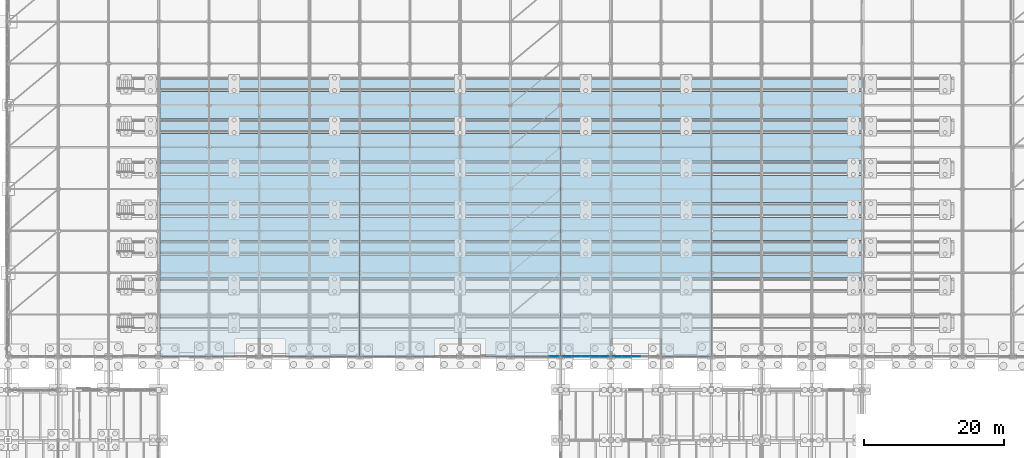
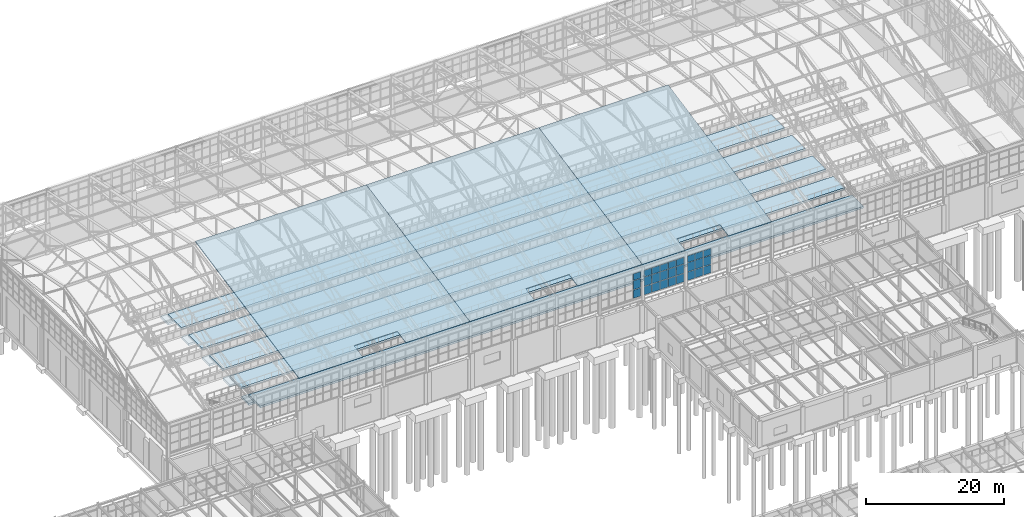
# One storey, part 242 of 293: 27 plates, 13 slabs, 3 elements without a shape of their own.
"""IFC4 building model written with IfcOpenShell, lengths in metres."""

from ifc_helpers import new_model, si_unit, direction, frame, origin, origin_2d, place, context, subcontext, project, spatial, polyline, rectangle, outline, extrude, material, layer, layer_set, type_object, element, aggregate, save


model = new_model("IFC4")

# Units and contexts
model_context = context("Model", 3, precision=1e-05, world=origin(), true_north=direction((0.0, 1.0)))
body_context = subcontext(model_context, "Body", "Model", "MODEL_VIEW")
ifc_project = project(units=[si_unit("LENGTHUNIT", "METRE"), si_unit("AREAUNIT", "SQUARE_METRE"), si_unit("VOLUMEUNIT", "CUBIC_METRE"), si_unit("PLANEANGLEUNIT", "RADIAN"), si_unit("MASSUNIT", "GRAM", prefix="KILO")], contexts=[model_context])

# Site, building, storey
site_placement = place(None, origin())
site = spatial("IfcSite", under=ifc_project, at=site_placement, CompositionType="ELEMENT")
building_placement = place(site_placement, origin())
building = spatial("IfcBuilding", under=site, at=building_placement, Name="Kemerveld Promenade Tramway Depot", CompositionType="ELEMENT")
storey_placement = place(building_placement, origin())
storey = spatial("IfcBuildingStorey", under=building, at=storey_placement, Name="L00", CompositionType="ELEMENT", Elevation=0.0)

# Curtain wall, plates
ifc_material_1 = material(Name="Bronze anodised aluminium and solar glass", Category="aluminium")
ifc_layer_1 = layer(ifc_material_1, 0.199951171875)
ifc_layer_set_1 = layer_set([ifc_layer_1], Name="CW-SYS-14")
curtain_wall_type_1 = type_object("IfcCurtainWallType", Name="CW-SYS-14", PredefinedType="USERDEFINED", material=ifc_layer_set_1)
curtain_wall_1_placement = place(storey_placement, origin())
curtain_wall_1 = element("IfcCurtainWall", 1, at=curtain_wall_1_placement, inside=storey, type_object=curtain_wall_type_1, Name="CW-V1-S-11", ObjectType="GLAZED_CURTAIN_WALL", PredefinedType="USERDEFINED")
ifc_material_2 = material(Name="Solar-control laminated double glazing", Category="glass")
ifc_layer_2 = layer(ifc_material_2, 0.02587890625)
ifc_layer_set_2 = layer_set([ifc_layer_2], Name="CW-PNL-06")
plate_type_1 = type_object("IfcPlateType", Name="CW-PNL-06", PredefinedType="CURTAIN_PANEL", material=ifc_layer_set_2)
plate_1_placement = place(storey_placement, frame((114.28271484375, 84.0, 6.26513671875), z_axis=(0.0, 0.0, 1.0), x_axis=(-1.0, 0.0, 0.0)))
plate_1 = element("IfcPlate", 2, at=plate_1_placement, type_object=plate_type_1, Name="CW14 panel 1.1", PredefinedType="CURTAIN_PANEL", context=body_context, shape_type="SweptSolid", body=[
    extrude(rectangle(XDim=1.23828125, YDim=0.02587890625, at=origin_2d()), origin(), (0.0, 0.0, 1.0), 1.46044921875),
])
plate_2_placement = place(storey_placement, frame((114.28271484375, 84.0, 7.79052734375), z_axis=(0.0, 0.0, 1.0), x_axis=(-1.0, 0.0, 0.0)))
plate_2 = element("IfcPlate", 3, at=plate_2_placement, type_object=plate_type_1, Name="CW14 panel 1.2", PredefinedType="CURTAIN_PANEL", context=body_context, shape_type="SweptSolid", body=[
    extrude(rectangle(XDim=1.23828125, YDim=0.02587890625, at=origin_2d()), origin(), (0.0, 0.0, 1.0), 1.5810546875),
])
plate_3_placement = place(storey_placement, frame((114.28271484375, 84.0, 9.4365234375), z_axis=(0.0, 0.0, 1.0), x_axis=(-1.0, 0.0, 0.0)))
plate_3 = element("IfcPlate", 4, at=plate_3_placement, type_object=plate_type_1, Name="CW14 panel 1.3", PredefinedType="CURTAIN_PANEL", context=body_context, shape_type="SweptSolid", body=[
    extrude(rectangle(XDim=1.23828125, YDim=0.02587890625, at=origin_2d()), origin(), (0.0, 0.0, 1.0), 1.1484375),
])
aggregate(curtain_wall_1, [plate_1, plate_2, plate_3])

ifc_layer_3 = layer(ifc_material_1, 0.159912109375)
ifc_layer_set_3 = layer_set([ifc_layer_3], Name="CW-SYS-01")
curtain_wall_type_2 = type_object("IfcCurtainWallType", Name="CW-SYS-01", PredefinedType="USERDEFINED", material=ifc_layer_set_3)
curtain_wall_2_placement = place(storey_placement, origin())
curtain_wall_2 = element("IfcCurtainWall", 5, at=curtain_wall_2_placement, inside=storey, type_object=curtain_wall_type_2, Name="CW-V1-S-12", ObjectType="GLAZED_CURTAIN_WALL", PredefinedType="USERDEFINED")
ifc_layer_4 = layer(ifc_material_2, 0.030029296875)
ifc_layer_set_4 = layer_set([ifc_layer_4], Name="CW-PNL-07")
plate_type_2 = type_object("IfcPlateType", Name="CW-PNL-07", PredefinedType="CURTAIN_PANEL", material=ifc_layer_set_4)
plate_4_placement = place(storey_placement, frame((121.485107421875, 84.0, 6.259765625), z_axis=(0.0, 0.0, 1.0), x_axis=(-1.0, 0.0, 0.0)))
plate_4 = element("IfcPlate", 6, at=plate_4_placement, type_object=plate_type_2, Name="CW01 panel 1.1", PredefinedType="CURTAIN_PANEL", context=body_context, shape_type="SweptSolid", body=[
    extrude(rectangle(XDim=1.253173828125, YDim=0.030029296875, at=origin_2d()), origin(), (0.0, 0.0, 1.0), 1.468017578125),
])
plate_5_placement = place(storey_placement, frame((121.485107421875, 84.0, 7.7880859375), z_axis=(0.0, 0.0, 1.0), x_axis=(-1.0, 0.0, 0.0)))
plate_5 = element("IfcPlate", 7, at=plate_5_placement, type_object=plate_type_2, Name="CW01 panel 1.2", PredefinedType="CURTAIN_PANEL", context=body_context, shape_type="SweptSolid", body=[
    extrude(rectangle(XDim=1.253173828125, YDim=0.030029296875, at=origin_2d()), origin(), (0.0, 0.0, 1.0), 1.5859375),
])
plate_6_placement = place(storey_placement, frame((121.485107421875, 84.0, 9.43408203125), z_axis=(0.0, 0.0, 1.0), x_axis=(-1.0, 0.0, 0.0)))
plate_6 = element("IfcPlate", 8, at=plate_6_placement, type_object=plate_type_2, Name="CW01 panel 1.3", PredefinedType="CURTAIN_PANEL", context=body_context, shape_type="SweptSolid", body=[
    extrude(rectangle(XDim=1.253173828125, YDim=0.030029296875, at=origin_2d()), origin(), (0.0, 0.0, 1.0), 1.156005859375),
])
plate_7_placement = place(storey_placement, frame((120.150634765625, 84.0, 6.259765625), z_axis=(0.0, 0.0, 1.0), x_axis=(-1.0, 0.0, 0.0)))
plate_7 = element("IfcPlate", 9, at=plate_7_placement, type_object=plate_type_2, Name="CW01 panel 2.1", PredefinedType="CURTAIN_PANEL", context=body_context, shape_type="SweptSolid", body=[
    extrude(rectangle(XDim=1.28564453125, YDim=0.030029296875, at=origin_2d()), origin(), (0.0, 0.0, 1.0), 1.468017578125),
])
plate_8_placement = place(storey_placement, frame((120.150634765625, 84.0, 7.7880859375), z_axis=(0.0, 0.0, 1.0), x_axis=(-1.0, 0.0, 0.0)))
plate_8 = element("IfcPlate", 10, at=plate_8_placement, type_object=plate_type_2, Name="CW01 panel 2.2", PredefinedType="CURTAIN_PANEL", context=body_context, shape_type="SweptSolid", body=[
    extrude(rectangle(XDim=1.28564453125, YDim=0.030029296875, at=origin_2d()), origin(), (0.0, 0.0, 1.0), 1.5859375),
])
plate_9_placement = place(storey_placement, frame((120.150634765625, 84.0, 9.43408203125), z_axis=(0.0, 0.0, 1.0), x_axis=(-1.0, 0.0, 0.0)))
plate_9 = element("IfcPlate", 11, at=plate_9_placement, type_object=plate_type_2, Name="CW01 panel 2.3", PredefinedType="CURTAIN_PANEL", context=body_context, shape_type="SweptSolid", body=[
    extrude(rectangle(XDim=1.28564453125, YDim=0.030029296875, at=origin_2d()), origin(), (0.0, 0.0, 1.0), 1.156005859375),
])
plate_10_placement = place(storey_placement, frame((118.800048828125, 84.0, 6.259765625), z_axis=(0.0, 0.0, 1.0), x_axis=(-1.0, 0.0, 0.0)))
plate_10 = element("IfcPlate", 12, at=plate_10_placement, type_object=plate_type_2, Name="CW01 panel 3.1", PredefinedType="CURTAIN_PANEL", context=body_context, shape_type="SweptSolid", body=[
    extrude(rectangle(XDim=1.28564453125, YDim=0.030029296875, at=origin_2d()), origin(), (0.0, 0.0, 1.0), 1.468017578125),
])
plate_11_placement = place(storey_placement, frame((118.800048828125, 84.0, 7.7880859375), z_axis=(0.0, 0.0, 1.0), x_axis=(-1.0, 0.0, 0.0)))
plate_11 = element("IfcPlate", 13, at=plate_11_placement, type_object=plate_type_2, Name="CW01 panel 3.2", PredefinedType="CURTAIN_PANEL", context=body_context, shape_type="SweptSolid", body=[
    extrude(rectangle(XDim=1.28564453125, YDim=0.030029296875, at=origin_2d()), origin(), (0.0, 0.0, 1.0), 1.5859375),
])
plate_12_placement = place(storey_placement, frame((118.800048828125, 84.0, 9.43408203125), z_axis=(0.0, 0.0, 1.0), x_axis=(-1.0, 0.0, 0.0)))
plate_12 = element("IfcPlate", 14, at=plate_12_placement, type_object=plate_type_2, Name="CW01 panel 3.3", PredefinedType="CURTAIN_PANEL", context=body_context, shape_type="SweptSolid", body=[
    extrude(rectangle(XDim=1.28564453125, YDim=0.030029296875, at=origin_2d()), origin(), (0.0, 0.0, 1.0), 1.156005859375),
])
plate_13_placement = place(storey_placement, frame((117.44921875, 84.0, 6.259765625), z_axis=(0.0, 0.0, 1.0), x_axis=(-1.0, 0.0, 0.0)))
plate_13 = element("IfcPlate", 15, at=plate_13_placement, type_object=plate_type_2, Name="CW01 panel 4.1", PredefinedType="CURTAIN_PANEL", context=body_context, shape_type="SweptSolid", body=[
    extrude(rectangle(XDim=1.28564453125, YDim=0.030029296875, at=origin_2d()), origin(), (0.0, 0.0, 1.0), 1.468017578125),
])
plate_14_placement = place(storey_placement, frame((117.44921875, 84.0, 7.7880859375), z_axis=(0.0, 0.0, 1.0), x_axis=(-1.0, 0.0, 0.0)))
plate_14 = element("IfcPlate", 16, at=plate_14_placement, type_object=plate_type_2, Name="CW01 panel 4.2", PredefinedType="CURTAIN_PANEL", context=body_context, shape_type="SweptSolid", body=[
    extrude(rectangle(XDim=1.28564453125, YDim=0.030029296875, at=origin_2d()), origin(), (0.0, 0.0, 1.0), 1.5859375),
])
plate_15_placement = place(storey_placement, frame((117.44921875, 84.0, 9.43408203125), z_axis=(0.0, 0.0, 1.0), x_axis=(-1.0, 0.0, 0.0)))
plate_15 = element("IfcPlate", 17, at=plate_15_placement, type_object=plate_type_2, Name="CW01 panel 4.3", PredefinedType="CURTAIN_PANEL", context=body_context, shape_type="SweptSolid", body=[
    extrude(rectangle(XDim=1.28564453125, YDim=0.030029296875, at=origin_2d()), origin(), (0.0, 0.0, 1.0), 1.156005859375),
])
plate_16_placement = place(storey_placement, frame((116.11474609375, 84.0, 6.259765625), z_axis=(0.0, 0.0, 1.0), x_axis=(-1.0, 0.0, 0.0)))
plate_16 = element("IfcPlate", 18, at=plate_16_placement, type_object=plate_type_2, Name="CW01 panel 5.1", PredefinedType="CURTAIN_PANEL", context=body_context, shape_type="SweptSolid", body=[
    extrude(rectangle(XDim=1.253173828125, YDim=0.030029296875, at=origin_2d()), origin(), (0.0, 0.0, 1.0), 1.468017578125),
])
plate_17_placement = place(storey_placement, frame((116.11474609375, 84.0, 7.7880859375), z_axis=(0.0, 0.0, 1.0), x_axis=(-1.0, 0.0, 0.0)))
plate_17 = element("IfcPlate", 19, at=plate_17_placement, type_object=plate_type_2, Name="CW01 panel 5.2", PredefinedType="CURTAIN_PANEL", context=body_context, shape_type="SweptSolid", body=[
    extrude(rectangle(XDim=1.253173828125, YDim=0.030029296875, at=origin_2d()), origin(), (0.0, 0.0, 1.0), 1.5859375),
])
plate_18_placement = place(storey_placement, frame((116.11474609375, 84.0, 9.43408203125), z_axis=(0.0, 0.0, 1.0), x_axis=(-1.0, 0.0, 0.0)))
plate_18 = element("IfcPlate", 20, at=plate_18_placement, type_object=plate_type_2, Name="CW01 panel 5.3", PredefinedType="CURTAIN_PANEL", context=body_context, shape_type="SweptSolid", body=[
    extrude(rectangle(XDim=1.253173828125, YDim=0.030029296875, at=origin_2d()), origin(), (0.0, 0.0, 1.0), 1.156005859375),
])
aggregate(curtain_wall_2, [plate_4, plate_5, plate_6, plate_7, plate_8, plate_9, plate_10, plate_11, plate_12, plate_13, plate_14, plate_15, plate_16, plate_17, plate_18])

ifc_layer_5 = layer(ifc_material_1, 0.199951171875)
ifc_layer_set_5 = layer_set([ifc_layer_5], Name="CW-SYS-02")
curtain_wall_type_3 = type_object("IfcCurtainWallType", Name="CW-SYS-02", PredefinedType="USERDEFINED", material=ifc_layer_set_5)
curtain_wall_3_placement = place(storey_placement, origin())
curtain_wall_3 = element("IfcCurtainWall", 21, at=curtain_wall_3_placement, inside=storey, type_object=curtain_wall_type_3, Name="CW-V1-S-13", ObjectType="GLAZED_CURTAIN_WALL", PredefinedType="USERDEFINED")
ifc_layer_6 = layer(ifc_material_2, 0.028076171875)
ifc_layer_set_6 = layer_set([ifc_layer_6], Name="CW-PNL-08")
plate_type_3 = type_object("IfcPlateType", Name="CW-PNL-08", PredefinedType="CURTAIN_PANEL", material=ifc_layer_set_6)
plate_19_placement = place(storey_placement, frame((126.0, 84.0, 6.26513671875), z_axis=(0.0, 0.0, 1.0), x_axis=(-1.0, 0.0, 0.0)))
plate_19 = element("IfcPlate", 22, at=plate_19_placement, type_object=plate_type_3, Name="CW02 panel 3.1", PredefinedType="CURTAIN_PANEL", context=body_context, shape_type="SweptSolid", body=[
    extrude(rectangle(XDim=1.275634765625, YDim=0.028076171875, at=origin_2d()), origin(), (0.0, 0.0, 1.0), 1.46044921875),
])
plate_20_placement = place(storey_placement, frame((126.0, 84.0, 7.79052734375), z_axis=(0.0, 0.0, 1.0), x_axis=(-1.0, 0.0, 0.0)))
plate_20 = element("IfcPlate", 23, at=plate_20_placement, type_object=plate_type_3, Name="CW02 panel 3.2", PredefinedType="CURTAIN_PANEL", context=body_context, shape_type="SweptSolid", body=[
    extrude(rectangle(XDim=1.275634765625, YDim=0.028076171875, at=origin_2d()), origin(), (0.0, 0.0, 1.0), 1.5810546875),
])
plate_21_placement = place(storey_placement, frame((126.0, 84.0, 9.4365234375), z_axis=(0.0, 0.0, 1.0), x_axis=(-1.0, 0.0, 0.0)))
plate_21 = element("IfcPlate", 24, at=plate_21_placement, type_object=plate_type_3, Name="CW02 panel 3.3", PredefinedType="CURTAIN_PANEL", context=body_context, shape_type="SweptSolid", body=[
    extrude(rectangle(XDim=1.275634765625, YDim=0.028076171875, at=origin_2d()), origin(), (0.0, 0.0, 1.0), 1.1484375),
])
plate_22_placement = place(storey_placement, frame((124.649169921875, 84.0, 6.26513671875), z_axis=(0.0, 0.0, 1.0), x_axis=(-1.0, 0.0, 0.0)))
plate_22 = element("IfcPlate", 25, at=plate_22_placement, type_object=plate_type_3, Name="CW02 panel 4.1", PredefinedType="CURTAIN_PANEL", context=body_context, shape_type="SweptSolid", body=[
    extrude(rectangle(XDim=1.275634765625, YDim=0.028076171875, at=origin_2d()), origin(), (0.0, 0.0, 1.0), 1.46044921875),
])
plate_23_placement = place(storey_placement, frame((124.649169921875, 84.0, 7.79052734375), z_axis=(0.0, 0.0, 1.0), x_axis=(-1.0, 0.0, 0.0)))
plate_23 = element("IfcPlate", 26, at=plate_23_placement, type_object=plate_type_3, Name="CW02 panel 4.2", PredefinedType="CURTAIN_PANEL", context=body_context, shape_type="SweptSolid", body=[
    extrude(rectangle(XDim=1.275634765625, YDim=0.028076171875, at=origin_2d()), origin(), (0.0, 0.0, 1.0), 1.5810546875),
])
plate_24_placement = place(storey_placement, frame((124.649169921875, 84.0, 9.4365234375), z_axis=(0.0, 0.0, 1.0), x_axis=(-1.0, 0.0, 0.0)))
plate_24 = element("IfcPlate", 27, at=plate_24_placement, type_object=plate_type_3, Name="CW02 panel 4.3", PredefinedType="CURTAIN_PANEL", context=body_context, shape_type="SweptSolid", body=[
    extrude(rectangle(XDim=1.275634765625, YDim=0.028076171875, at=origin_2d()), origin(), (0.0, 0.0, 1.0), 1.1484375),
])
plate_25_placement = place(storey_placement, frame((123.3173828125, 84.0, 6.26513671875), z_axis=(0.0, 0.0, 1.0), x_axis=(-1.0, 0.0, 0.0)))
plate_25 = element("IfcPlate", 28, at=plate_25_placement, type_object=plate_type_3, Name="CW02 panel 5.1", PredefinedType="CURTAIN_PANEL", context=body_context, shape_type="SweptSolid", body=[
    extrude(rectangle(XDim=1.23828125, YDim=0.028076171875, at=origin_2d()), origin(), (0.0, 0.0, 1.0), 1.46044921875),
])
plate_26_placement = place(storey_placement, frame((123.3173828125, 84.0, 7.79052734375), z_axis=(0.0, 0.0, 1.0), x_axis=(-1.0, 0.0, 0.0)))
plate_26 = element("IfcPlate", 29, at=plate_26_placement, type_object=plate_type_3, Name="CW02 panel 5.2", PredefinedType="CURTAIN_PANEL", context=body_context, shape_type="SweptSolid", body=[
    extrude(rectangle(XDim=1.23828125, YDim=0.028076171875, at=origin_2d()), origin(), (0.0, 0.0, 1.0), 1.5810546875),
])
plate_27_placement = place(storey_placement, frame((123.3173828125, 84.0, 9.4365234375), z_axis=(0.0, 0.0, 1.0), x_axis=(-1.0, 0.0, 0.0)))
plate_27 = element("IfcPlate", 30, at=plate_27_placement, type_object=plate_type_3, Name="CW02 panel 5.3", PredefinedType="CURTAIN_PANEL", context=body_context, shape_type="SweptSolid", body=[
    extrude(rectangle(XDim=1.23828125, YDim=0.028076171875, at=origin_2d()), origin(), (0.0, 0.0, 1.0), 1.1484375),
])
aggregate(curtain_wall_3, [plate_19, plate_20, plate_21, plate_22, plate_23, plate_24, plate_25, plate_26, plate_27])

# Slabs
ifc_material_3 = material(Name="Concrete C35/45", Category="concrete")
ifc_layer_7 = layer(ifc_material_3, 0.35009765625)
ifc_layer_set_7 = layer_set([ifc_layer_7], Name="SL-BS01")
slab_type_1 = type_object("IfcSlabType", Name="SL-BS01", PredefinedType="BASESLAB", material=ifc_layer_set_7)
slab_1_placement = place(storey_placement, frame((0.0, 0.0, -0.35009765625)))
element("IfcSlab", 31, at=slab_1_placement, inside=storey, type_object=slab_type_1, Name="SLB-L00-V1-3", PredefinedType="BASESLAB", context=body_context, shape_type="SweptSolid", body=[
    extrude(outline(polyline([(57.860107421875, 95.25), (57.860107421875, 98.550048828125), (158.60009765625, 98.550048828125), (158.60009765625, 95.25), (57.860107421875, 95.25)])), origin(), (0.0, 0.0, 1.0), 0.35009765625),
])
slab_2_placement = place(storey_placement, frame((0.0, 0.0, -0.35009765625)))
element("IfcSlab", 32, at=slab_2_placement, inside=storey, type_object=slab_type_1, Name="SLB-L00-V1-4", PredefinedType="BASESLAB", context=body_context, shape_type="SweptSolid", body=[
    extrude(outline(polyline([(57.860107421875, 100.64990234375), (57.860107421875, 103.949951171875), (158.60009765625, 103.949951171875), (158.60009765625, 100.64990234375), (57.860107421875, 100.64990234375)])), origin(), (0.0, 0.0, 1.0), 0.35009765625),
])
slab_3_placement = place(storey_placement, frame((0.0, 0.0, -0.35009765625)))
element("IfcSlab", 33, at=slab_3_placement, inside=storey, type_object=slab_type_1, Name="SLB-L00-V1-5", PredefinedType="BASESLAB", context=body_context, shape_type="SweptSolid", body=[
    extrude(outline(polyline([(57.860107421875, 106.050048828125), (57.860107421875, 109.949951171875), (158.60009765625, 109.949951171875), (158.60009765625, 106.050048828125), (57.860107421875, 106.050048828125)])), origin(), (0.0, 0.0, 1.0), 0.35009765625),
])
slab_4_placement = place(storey_placement, frame((0.0, 0.0, -0.35009765625)))
element("IfcSlab", 34, at=slab_4_placement, inside=storey, type_object=slab_type_1, Name="SLB-L00-V1-6", PredefinedType="BASESLAB", context=body_context, shape_type="SweptSolid", body=[
    extrude(outline(polyline([(57.860107421875, 112.050048828125), (57.860107421875, 115.949951171875), (158.60009765625, 115.949951171875), (158.60009765625, 112.050048828125), (57.860107421875, 112.050048828125)])), origin(), (0.0, 0.0, 1.0), 0.35009765625),
])
slab_5_placement = place(storey_placement, frame((0.0, 0.0, -0.35009765625)))
element("IfcSlab", 35, at=slab_5_placement, inside=storey, type_object=slab_type_1, Name="SLB-L00-V1-7", PredefinedType="BASESLAB", context=body_context, shape_type="SweptSolid", body=[
    extrude(outline(polyline([(57.860107421875, 118.050048828125), (57.860107421875, 121.949951171875), (158.60009765625, 121.949951171875), (158.60009765625, 118.050048828125), (57.860107421875, 118.050048828125)])), origin(), (0.0, 0.0, 1.0), 0.35009765625),
])
ifc_material_4 = material(Name="Concrete C40/50", Category="concrete")
ifc_layer_8 = layer(ifc_material_4, 0.39990234375)
ifc_layer_set_8 = layer_set([ifc_layer_8], Name="SL-BS03")
slab_type_2 = type_object("IfcSlabType", Name="SL-BS03", PredefinedType="BASESLAB", material=ifc_layer_set_8)
slab_6_placement = place(storey_placement, frame((0.0, 0.0, -1.949951171875)))
element("IfcSlab", 36, at=slab_6_placement, inside=storey, type_object=slab_type_2, Name="SLB-PIT-03", PredefinedType="BASESLAB", context=body_context, shape_type="SweptSolid", body=[
    extrude(outline(polyline([(57.860107421875, 98.550048828125), (158.60009765625, 98.550048828125), (158.60009765625, 100.64990234375), (57.860107421875, 100.64990234375), (57.860107421875, 98.550048828125)])), origin(), (0.0, 0.0, 1.0), 0.39990234375),
])
slab_7_placement = place(storey_placement, frame((0.0, 0.0, -1.949951171875)))
element("IfcSlab", 37, at=slab_7_placement, inside=storey, type_object=slab_type_2, Name="SLB-PIT-04", PredefinedType="BASESLAB", context=body_context, shape_type="SweptSolid", body=[
    extrude(outline(polyline([(57.860107421875, 103.949951171875), (158.60009765625, 103.949951171875), (158.60009765625, 106.050048828125), (57.860107421875, 106.050048828125), (57.860107421875, 103.949951171875)])), origin(), (0.0, 0.0, 1.0), 0.39990234375),
])
slab_8_placement = place(storey_placement, frame((0.0, 0.0, -1.949951171875)))
element("IfcSlab", 38, at=slab_8_placement, inside=storey, type_object=slab_type_2, Name="SLB-PIT-05", PredefinedType="BASESLAB", context=body_context, shape_type="SweptSolid", body=[
    extrude(outline(polyline([(57.860107421875, 109.949951171875), (158.60009765625, 109.949951171875), (158.60009765625, 112.050048828125), (57.860107421875, 112.050048828125), (57.860107421875, 109.949951171875)])), origin(), (0.0, 0.0, 1.0), 0.39990234375),
])
slab_9_placement = place(storey_placement, frame((0.0, 0.0, -1.949951171875)))
element("IfcSlab", 39, at=slab_9_placement, inside=storey, type_object=slab_type_2, Name="SLB-PIT-06", PredefinedType="BASESLAB", context=body_context, shape_type="SweptSolid", body=[
    extrude(outline(polyline([(57.860107421875, 115.949951171875), (158.60009765625, 115.949951171875), (158.60009765625, 118.050048828125), (57.860107421875, 118.050048828125), (57.860107421875, 115.949951171875)])), origin(), (0.0, 0.0, 1.0), 0.39990234375),
])
slab_10_placement = place(storey_placement, frame((0.0, 0.0, -1.949951171875)))
element("IfcSlab", 40, at=slab_10_placement, inside=storey, type_object=slab_type_2, Name="SLB-PIT-07", PredefinedType="BASESLAB", context=body_context, shape_type="SweptSolid", body=[
    extrude(outline(polyline([(57.860107421875, 121.949951171875), (158.60009765625, 121.949951171875), (158.60009765625, 124.050048828125), (57.860107421875, 124.050048828125), (57.860107421875, 121.949951171875)])), origin(), (0.0, 0.0, 1.0), 0.39990234375),
])
ifc_layer_9 = layer(ifc_material_3, 0.159912109375)
ifc_layer_set_9 = layer_set([ifc_layer_9], Name="SL-RF02")
slab_type_3 = type_object("IfcSlabType", Name="SL-RF02", PredefinedType="ROOF", material=ifc_layer_set_9)
slab_11_placement = place(storey_placement, frame((57.860107421875, 84.0, 11.719970703125), z_axis=(0.0, -0.196116135138, 0.980580675691), x_axis=(1.0, 0.0, 0.0)))
element("IfcSlab", 41, at=slab_11_placement, inside=storey, type_object=slab_type_3, Name="SLB-RF-V1S-S2", PredefinedType="ROOF", context=body_context, shape_type="SweptSolid", body=[
    extrude(outline(polyline([(0.0, 0.0), (10.669921875, 0.0), (10.669921875, 2.5495097567963922), (17.869873046875, 2.5495097567963922), (17.869873046875, 0.0), (28.539794921875, 0.0), (28.539794921875, 30.594117081556707), (0.0, 30.594117081556707), (0.0, 0.0)])), origin(), (0.0, 0.0, -1.0), 0.159912109375),
])
slab_12_placement = place(storey_placement, frame((86.39990234375, 84.0, 11.719970703125), z_axis=(0.0, -0.196116135138, 0.980580675691), x_axis=(1.0, 0.0, 0.0)))
element("IfcSlab", 42, at=slab_12_placement, inside=storey, type_object=slab_type_3, Name="SLB-RF-V1S-S3", PredefinedType="ROOF", context=body_context, shape_type="SweptSolid", body=[
    extrude(outline(polyline([(0.0, 0.0), (10.800048828125, 0.0), (10.800048828125, 2.5495097567963922), (18.0, 2.5495097567963922), (18.0, 0.0), (28.800048828125, 0.0), (28.800048828125, 30.594117081556707), (0.0, 30.594117081556707), (0.0, 0.0)])), origin(), (0.0, 0.0, -1.0), 0.159912109375),
])
slab_13_placement = place(storey_placement, frame((115.199951171875, 84.0, 11.719970703125), z_axis=(0.0, -0.196116135138, 0.980580675691), x_axis=(1.0, 0.0, 0.0)))
element("IfcSlab", 43, at=slab_13_placement, inside=storey, type_object=slab_type_3, Name="SLB-RF-V1S-S4", PredefinedType="ROOF", context=body_context, shape_type="SweptSolid", body=[
    extrude(outline(polyline([(0.0, 0.0), (7.199951171875, 0.0), (7.199951171875, 2.5495097567963927), (14.400146484375, 2.5495097567963927), (14.400146484375, 0.0), (21.60009765625, 0.0), (21.60009765625, 30.59411708155671), (0.0, 30.59411708155671), (0.0, 0.0)])), origin(), (0.0, 0.0, -1.0), 0.159912109375),
])

save(model, "model.ifc")
